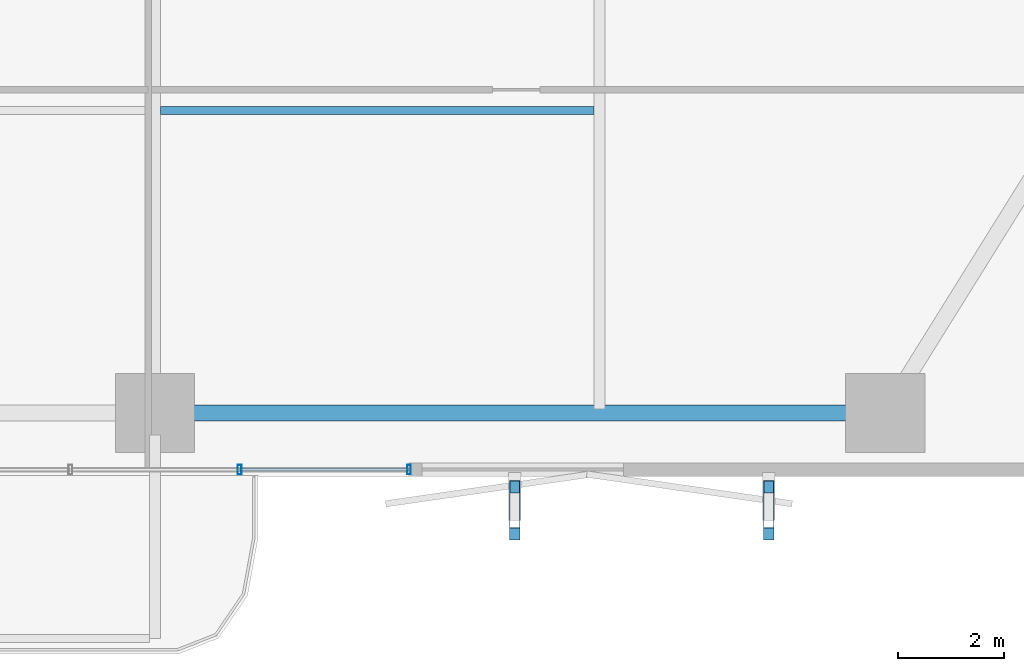
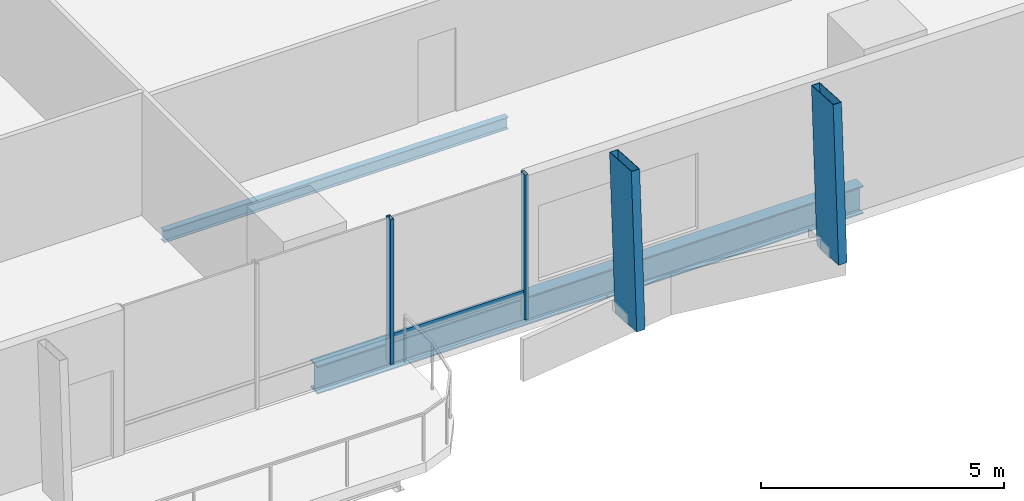
# One storey, part 6 of 23: 5 members, 2 beams, 1 element without a shape of its own.
"""IFC4 building model written with IfcOpenShell, lengths in metres."""

from ifc_helpers import new_model, si_unit, direction, frame, origin, origin_2d, place, context, subcontext, project, spatial, hollow_rectangle, i_section, extrude, material, layer, layer_set, material_profile, profile_set, type_object, element, aggregate, save


model = new_model("IFC4")

# Units and contexts
model_context = context("Model", 3, precision=1e-05, world=origin(), true_north=direction((0.0, 1.0)))
body_context = subcontext(model_context, "Body", "Model", "MODEL_VIEW")
ifc_project = project(units=[si_unit("LENGTHUNIT", "METRE"), si_unit("AREAUNIT", "SQUARE_METRE"), si_unit("VOLUMEUNIT", "CUBIC_METRE"), si_unit("PLANEANGLEUNIT", "RADIAN"), si_unit("MASSUNIT", "GRAM", prefix="KILO")], contexts=[model_context])

# Site, building, storey
site_placement = place(None, origin())
site = spatial("IfcSite", under=ifc_project, at=site_placement, CompositionType="ELEMENT")
building_placement = place(site_placement, origin())
building = spatial("IfcBuilding", under=site, at=building_placement, Name="Belovzor Exchange Tower", CompositionType="ELEMENT")
storey_placement = place(building_placement, frame((0.0, 0.0, 88.5)))
storey = spatial("IfcBuildingStorey", under=building, at=storey_placement, Name="L21", CompositionType="ELEMENT", Elevation=88.5)

# Beam
ifc_material_1 = material(Name="Steel S355", Category="steel")
ifc_material_profile_1 = material_profile(ifc_material_1, i_section(OverallWidth=0.14990234375, OverallDepth=0.300048828125, WebThickness=0.007080078125, FlangeThickness=0.0107421875, at=origin_2d()))
ifc_profile_set_1 = profile_set([ifc_material_profile_1], Name="Steel S355")
beam_type_1 = type_object("IfcBeamType", Name="Secondary Trim Floor Joist IPE 300", PredefinedType="BEAM", material=ifc_profile_set_1)
beam_1_placement = place(storey_placement, frame((28.905029296875, 7.81494140625, -0.39990234375), z_axis=(1.0, 0.0, 0.0), x_axis=(0.0, 1.0, 0.0)))
element("IfcBeam", 1, at=beam_1_placement, inside=storey, type_object=beam_type_1, Name="FJ-300 Secondary Trim Floor Joist IPE 300", PredefinedType="BEAM", context=body_context, shape_type="SweptSolid", body=[
    extrude(i_section(OverallWidth=0.14990234375, OverallDepth=0.300048828125, WebThickness=0.007080078125, FlangeThickness=0.0107421875, at=origin_2d()), origin(), (0.0, 0.0, 1.0), 8.18994140625),
])

# Members
ifc_material_2 = material(Name="Extruded Architectural Terracotta on Steel S355 Carrier", Category="masonry")
ifc_material_profile_2 = material_profile(ifc_material_2, hollow_rectangle(XDim=0.199951171875, YDim=0.89990234375, WallThickness=0.011962890625, at=origin_2d()))
ifc_profile_set_2 = profile_set([ifc_material_profile_2], Name="Extruded Architectural Terracotta on Steel S355 Carrier")
member_type_1 = type_object("IfcMemberType", Name="Sweeping Terracotta Baguette Fin Assembly 1250", PredefinedType="USERDEFINED", material=ifc_profile_set_2)
for number, where, z_axis, x_axis, name in (
    (2, (35.60009765625, 0.14990234375, -0.25), (0.0, 0.0576228887, 0.998338420926), (-1.0, 0.0, 0.0), "FIN-TC125 Terracotta Facade Fin L21 S3"),
    (3, (40.39990234375, 0.14990234375, -0.25), (0.0, 0.0576228887, 0.998338420926), (-1.0, 0.0, 0.0), "FIN-TC125 Terracotta Facade Fin L21 S4"),
):
    element("IfcMember", number, at=place(storey_placement, frame(where, z_axis=z_axis, x_axis=x_axis)), inside=storey, type_object=member_type_1, Name=name, ObjectType="FIN", PredefinedType="USERDEFINED", context=body_context, shape_type="SweptSolid", body=[
        extrude(hollow_rectangle(XDim=0.199951171875, YDim=0.89990234375, WallThickness=0.011962890625, at=origin_2d()), origin(), (0.0, 0.0, 1.0), 3.906494140625),
    ])

# Curtain wall, members
ifc_material_3 = material(Name="Anodised Aluminium Framing", Category="aluminium")
ifc_layer = layer(ifc_material_3, 0.179931640625)
ifc_layer_set = layer_set([ifc_layer], Name="Anodised Aluminium Framing")
curtain_wall_type = type_object("IfcCurtainWallType", Name="Recessed Loggia Low-Iron Triple-Glazed Curtain Wall", PredefinedType="NOTDEFINED", material=ifc_layer_set)
curtain_wall_placement = place(storey_placement, origin())
curtain_wall = element("IfcCurtainWall", 4, at=curtain_wall_placement, inside=storey, type_object=curtain_wall_type, Name="CW3 Recessed Loggia Low-Iron Triple-Glazed Curtain Wall L21", PredefinedType="NOTDEFINED")
ifc_material_4 = material(Name="Steel S355", Category="steel")
ifc_material_profile_3 = material_profile(ifc_material_4, hollow_rectangle(XDim=0.074951171875, YDim=0.179931640625, WallThickness=0.0048828125, at=origin_2d()))
ifc_profile_set_3 = profile_set([ifc_material_profile_3], Name="Steel S355")
member_type_2 = type_object("IfcMemberType", Name="Thermally Broken Curtain Wall Mullion 180x75", PredefinedType="MULLION", material=ifc_profile_set_3)
member_1_placement = place(storey_placement, frame((33.60009765625, 1.030029296875, 0.0), z_axis=(0.0, 0.0, 1.0), x_axis=(-1.0, 0.0, 0.0)))
member_1 = element("IfcMember", 5, at=member_1_placement, type_object=member_type_2, Name="CW-M180 Curtain Wall Mullion 1", PredefinedType="MULLION", context=body_context, shape_type="SweptSolid", body=[
    extrude(hollow_rectangle(XDim=0.074951171875, YDim=0.179931640625, WallThickness=0.0048828125, at=origin_2d()), origin(), (0.0, 0.0, 1.0), 3.64990234375),
])
member_2_placement = place(storey_placement, frame((30.39990234375, 1.030029296875, 0.0), z_axis=(0.0, 0.0, 1.0), x_axis=(-1.0, 0.0, 0.0)))
member_2 = element("IfcMember", 6, at=member_2_placement, type_object=member_type_2, Name="CW-M180 Curtain Wall Mullion 2", PredefinedType="MULLION", context=body_context, shape_type="SweptSolid", body=[
    extrude(hollow_rectangle(XDim=0.074951171875, YDim=0.179931640625, WallThickness=0.0048828125, at=origin_2d()), origin(), (0.0, 0.0, 1.0), 3.64990234375),
])
ifc_material_5 = material(Name="Steel S355", Category="steel")
ifc_material_profile_4 = material_profile(ifc_material_5, hollow_rectangle(XDim=0.06005859375, YDim=0.14990234375, WallThickness=0.00390625, at=origin_2d()))
ifc_profile_set_4 = profile_set([ifc_material_profile_4], Name="Steel S355")
member_type_3 = type_object("IfcMemberType", Name="Thermally Broken Curtain Wall Transom 150x60", PredefinedType="USERDEFINED", material=ifc_profile_set_4)
member_3_placement = place(storey_placement, frame((33.592041015625, 1.030029296875, 0.64990234375), z_axis=(-1.0, 0.0, 0.0), x_axis=(0.0, -1.0, 0.0)))
member_3 = element("IfcMember", 7, at=member_3_placement, type_object=member_type_3, Name="CW-T150 Curtain Wall Transom 1", ObjectType="TRANSOM", PredefinedType="USERDEFINED", context=body_context, shape_type="SweptSolid", body=[
    extrude(hollow_rectangle(XDim=0.06005859375, YDim=0.14990234375, WallThickness=0.00390625, at=origin_2d()), origin(), (0.0, 0.0, 1.0), 3.18408203125),
])
aggregate(curtain_wall, [member_1, member_2, member_3])

# Beam
ifc_material_6 = material(Name="Steel S355", Category="steel")
ifc_material_profile_5 = material_profile(ifc_material_6, i_section(OverallWidth=0.300048828125, OverallDepth=0.699951171875, WebThickness=0.01708984375, FlangeThickness=0.031982421875, at=origin_2d()))
ifc_profile_set_5 = profile_set([ifc_material_profile_5], Name="Steel S355")
beam_type_2 = type_object("IfcBeamType", Name="Zone 1 Primary Perimeter Girder HEB 700", PredefinedType="BEAM", material=ifc_profile_set_5)
beam_2_placement = place(storey_placement, frame((29.212890625, 2.10009765625, -0.60009765625), z_axis=(1.0, 0.0, 0.0), x_axis=(0.0, 1.0, 0.0)))
element("IfcBeam", 8, at=beam_2_placement, inside=storey, type_object=beam_type_2, Name="FG-Z1 Zone 1 Primary Perimeter Girder HEB 700", PredefinedType="BEAM", context=body_context, shape_type="SweptSolid", body=[
    extrude(i_section(OverallWidth=0.300048828125, OverallDepth=0.699951171875, WebThickness=0.01708984375, FlangeThickness=0.031982421875, at=origin_2d()), origin(), (0.0, 0.0, 1.0), 12.97509765625),
])

save(model, "model.ifc")
